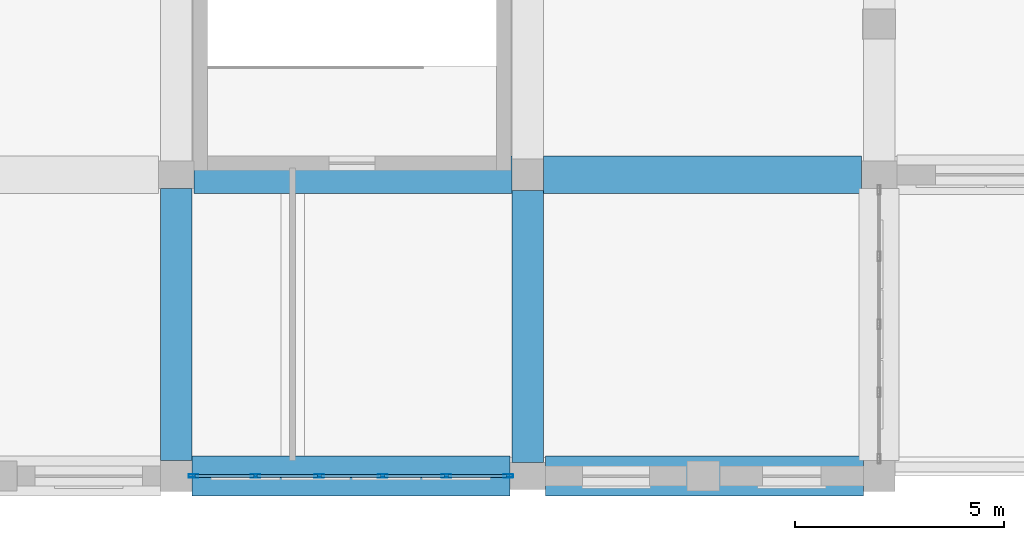
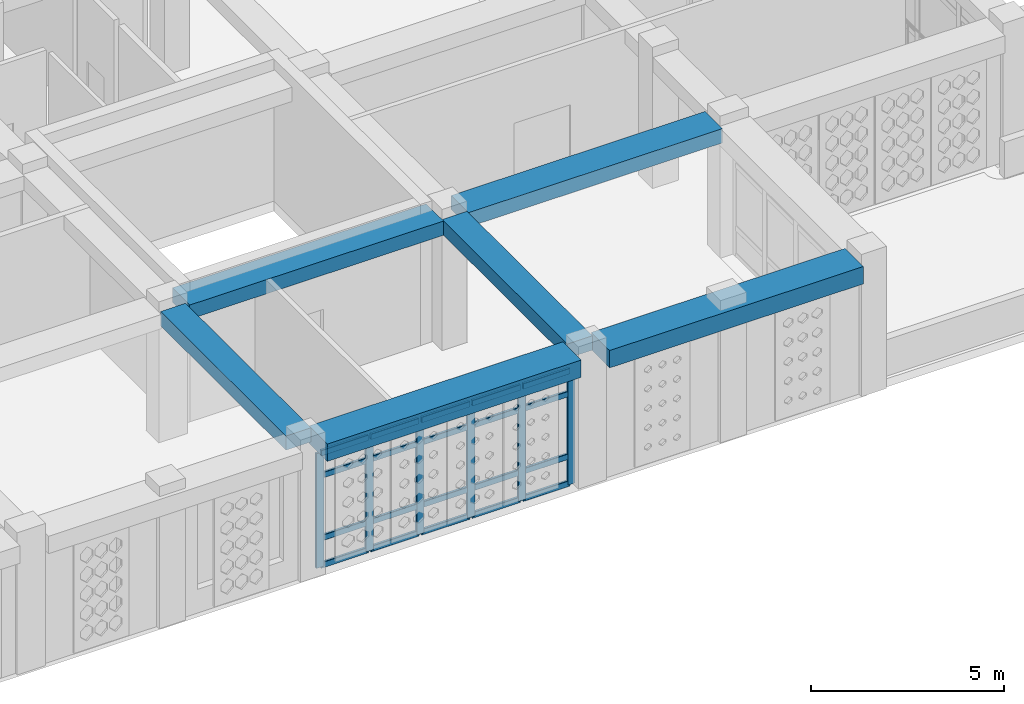
# One storey, part 7 of 111: 26 members, 6 beams, 1 element without a shape of its own.
"""IFC4 building model written with IfcOpenShell, lengths in metres."""

from ifc_helpers import new_model, si_unit, derived_unit, direction, frame, origin, origin_2d, place, context, subcontext, project, spatial, rectangle, hollow_rectangle, extrude, material, material_profile, profile_set, type_object, element, aggregate, save


model = new_model("IFC4")

# Units and contexts
model_context = context("Model", 3, precision=1e-05, world=origin(), true_north=direction((0.0, 1.0)))
body_context = subcontext(model_context, "Body", "Model", "MODEL_VIEW")
ifc_project = project(units=[si_unit("LENGTHUNIT", "METRE"), si_unit("AREAUNIT", "SQUARE_METRE"), si_unit("VOLUMEUNIT", "CUBIC_METRE"), si_unit("PLANEANGLEUNIT", "RADIAN"), si_unit("MASSUNIT", "GRAM", prefix="KILO"), derived_unit("THERMALTRANSMITTANCEUNIT", [(si_unit("POWERUNIT", "WATT"), 1), (si_unit("LENGTHUNIT", "METRE"), -2), (si_unit("THERMODYNAMICTEMPERATUREUNIT", "KELVIN"), -1)])], contexts=[model_context])

# Site, building, storey
site_placement = place(None, origin())
site = spatial("IfcSite", under=ifc_project, at=site_placement, CompositionType="ELEMENT")
building_placement = place(site_placement, origin())
building = spatial("IfcBuilding", under=site, at=building_placement, Name="Veybourne Emporium", CompositionType="ELEMENT")
storey_placement = place(building_placement, frame((0.0, 0.0, 9.89990234375)))
storey = spatial("IfcBuildingStorey", under=building, at=storey_placement, Name="L02", CompositionType="ELEMENT", Elevation=9.89990234375)

# Curtain wall, members
ifc_material_1 = material(Name="Patinated Architectural Bronze", Category="bronze")
curtain_wall_type = type_object("IfcCurtainWallType", Name="CWSystem_CWS-11", PredefinedType="NOTDEFINED", material=ifc_material_1)
curtain_wall_placement = place(storey_placement, origin())
curtain_wall = element("IfcCurtainWall", 1, at=curtain_wall_placement, inside=storey, type_object=curtain_wall_type, Name="L02 bronze glazed curtain wall CWS-11 (021)", PredefinedType="NOTDEFINED")
ifc_material_profile_1 = material_profile(ifc_material_1, hollow_rectangle(XDim=0.077880859375, YDim=0.235107421875, WallThickness=0.0048828125, InnerFilletRadius=0.007568359375, OuterFilletRadius=0.012451171875, at=origin_2d()), Name="CWM 78x235x5")
ifc_profile_set_1 = profile_set([ifc_material_profile_1], Name="Patinated Architectural Bronze")
member_type_1 = type_object("IfcMemberType", Name="CWMullion_CW-M3", PredefinedType="MULLION", material=ifc_profile_set_1)
member_1_placement = place(storey_placement, frame((41.535888671875, 0.0, 0.0), z_axis=(0.0, 0.0, 1.0), x_axis=(0.0, -1.0, 0.0)))
member_1 = element("IfcMember", 2, at=member_1_placement, type_object=member_type_1, Name="CWS-11 mullion 1", PredefinedType="MULLION", context=body_context, shape_type="SweptSolid", body=[
    extrude(hollow_rectangle(XDim=0.077880859375, YDim=0.235107421875, WallThickness=0.0048828125, InnerFilletRadius=0.007568359375, OuterFilletRadius=0.012451171875, at=origin_2d()), origin(), (0.0, 0.0, 1.0), 3.630126953125),
])
member_2_placement = place(storey_placement, frame((40.054931640625, 0.0, 0.0), z_axis=(0.0, 0.0, 1.0), x_axis=(0.0, -1.0, 0.0)))
member_2 = element("IfcMember", 3, at=member_2_placement, type_object=member_type_1, Name="CWS-11 mullion 2", PredefinedType="MULLION", context=body_context, shape_type="SweptSolid", body=[
    extrude(hollow_rectangle(XDim=0.077880859375, YDim=0.235107421875, WallThickness=0.0048828125, InnerFilletRadius=0.007568359375, OuterFilletRadius=0.012451171875, at=origin_2d()), origin(), (0.0, 0.0, 1.0), 3.630126953125),
])
member_3_placement = place(storey_placement, frame((38.534912109375, 0.0, 0.0), z_axis=(0.0, 0.0, 1.0), x_axis=(0.0, -1.0, 0.0)))
member_3 = element("IfcMember", 4, at=member_3_placement, type_object=member_type_1, Name="CWS-11 mullion 3", PredefinedType="MULLION", context=body_context, shape_type="SweptSolid", body=[
    extrude(hollow_rectangle(XDim=0.077880859375, YDim=0.235107421875, WallThickness=0.0048828125, InnerFilletRadius=0.007568359375, OuterFilletRadius=0.012451171875, at=origin_2d()), origin(), (0.0, 0.0, 1.0), 3.630126953125),
])
member_4_placement = place(storey_placement, frame((37.014892578125, 0.0, 0.0), z_axis=(0.0, 0.0, 1.0), x_axis=(0.0, -1.0, 0.0)))
member_4 = element("IfcMember", 5, at=member_4_placement, type_object=member_type_1, Name="CWS-11 mullion 4", PredefinedType="MULLION", context=body_context, shape_type="SweptSolid", body=[
    extrude(hollow_rectangle(XDim=0.077880859375, YDim=0.235107421875, WallThickness=0.0048828125, InnerFilletRadius=0.007568359375, OuterFilletRadius=0.012451171875, at=origin_2d()), origin(), (0.0, 0.0, 1.0), 3.630126953125),
])
member_5_placement = place(storey_placement, frame((35.4951171875, 0.0, 0.0), z_axis=(0.0, 0.0, 1.0), x_axis=(0.0, -1.0, 0.0)))
member_5 = element("IfcMember", 6, at=member_5_placement, type_object=member_type_1, Name="CWS-11 mullion 5", PredefinedType="MULLION", context=body_context, shape_type="SweptSolid", body=[
    extrude(hollow_rectangle(XDim=0.077880859375, YDim=0.235107421875, WallThickness=0.0048828125, InnerFilletRadius=0.007568359375, OuterFilletRadius=0.012451171875, at=origin_2d()), origin(), (0.0, 0.0, 1.0), 3.630126953125),
])
member_6_placement = place(storey_placement, frame((34.013916015625, 0.0, 0.0), z_axis=(0.0, 0.0, 1.0), x_axis=(0.0, -1.0, 0.0)))
member_6 = element("IfcMember", 7, at=member_6_placement, type_object=member_type_1, Name="CWS-11 mullion 6", PredefinedType="MULLION", context=body_context, shape_type="SweptSolid", body=[
    extrude(hollow_rectangle(XDim=0.077880859375, YDim=0.235107421875, WallThickness=0.0048828125, InnerFilletRadius=0.007568359375, OuterFilletRadius=0.012451171875, at=origin_2d()), origin(), (0.0, 0.0, 1.0), 3.630126953125),
])
ifc_material_profile_2 = material_profile(ifc_material_1, hollow_rectangle(XDim=0.077880859375, YDim=0.18505859375, WallThickness=0.0048828125, InnerFilletRadius=0.007568359375, OuterFilletRadius=0.012451171875, at=origin_2d()), Name="CWT 78x185x5")
ifc_profile_set_2 = profile_set([ifc_material_profile_2], Name="Patinated Architectural Bronze")
member_type_2 = type_object("IfcMemberType", Name="CWTransom_CW-T3", PredefinedType="NOTDEFINED", material=ifc_profile_set_2)
member_7_placement = place(storey_placement, frame((41.4970703125, 0.0, 0.0390625), z_axis=(-1.0, 0.0, 0.0), x_axis=(0.0, -1.0, 0.0)))
member_7 = element("IfcMember", 8, at=member_7_placement, type_object=member_type_2, Name="CWS-11 transom 1.1", ObjectType="TRANSOM", PredefinedType="USERDEFINED", context=body_context, shape_type="SweptSolid", body=[
    extrude(hollow_rectangle(XDim=0.077880859375, YDim=0.18505859375, WallThickness=0.0048828125, InnerFilletRadius=0.007568359375, OuterFilletRadius=0.012451171875, at=origin_2d()), origin(), (0.0, 0.0, 1.0), 1.403076171875),
])
member_8_placement = place(storey_placement, frame((41.4970703125, 0.0, 0.900146484375), z_axis=(-1.0, 0.0, 0.0), x_axis=(0.0, -1.0, 0.0)))
member_8 = element("IfcMember", 9, at=member_8_placement, type_object=member_type_2, Name="CWS-11 transom 1.2", ObjectType="TRANSOM", PredefinedType="USERDEFINED", context=body_context, shape_type="SweptSolid", body=[
    extrude(hollow_rectangle(XDim=0.077880859375, YDim=0.18505859375, WallThickness=0.0048828125, InnerFilletRadius=0.007568359375, OuterFilletRadius=0.012451171875, at=origin_2d()), origin(), (0.0, 0.0, 1.0), 1.403076171875),
])
member_9_placement = place(storey_placement, frame((41.4970703125, 0.0, 2.880126953125), z_axis=(-1.0, 0.0, 0.0), x_axis=(0.0, -1.0, 0.0)))
member_9 = element("IfcMember", 10, at=member_9_placement, type_object=member_type_2, Name="CWS-11 transom 1.3", ObjectType="TRANSOM", PredefinedType="USERDEFINED", context=body_context, shape_type="SweptSolid", body=[
    extrude(hollow_rectangle(XDim=0.077880859375, YDim=0.18505859375, WallThickness=0.0048828125, InnerFilletRadius=0.007568359375, OuterFilletRadius=0.012451171875, at=origin_2d()), origin(), (0.0, 0.0, 1.0), 1.403076171875),
])
member_10_placement = place(storey_placement, frame((41.4970703125, 0.0, 3.591064453125), z_axis=(-1.0, 0.0, 0.0), x_axis=(0.0, -1.0, 0.0)))
member_10 = element("IfcMember", 11, at=member_10_placement, type_object=member_type_2, Name="CWS-11 transom 1.4", ObjectType="TRANSOM", PredefinedType="USERDEFINED", context=body_context, shape_type="SweptSolid", body=[
    extrude(hollow_rectangle(XDim=0.077880859375, YDim=0.18505859375, WallThickness=0.0048828125, InnerFilletRadius=0.007568359375, OuterFilletRadius=0.012451171875, at=origin_2d()), origin(), (0.0, 0.0, 1.0), 1.403076171875),
])
member_11_placement = place(storey_placement, frame((40.01611328125, 0.0, 0.0390625), z_axis=(-1.0, 0.0, 0.0), x_axis=(0.0, -1.0, 0.0)))
member_11 = element("IfcMember", 12, at=member_11_placement, type_object=member_type_2, Name="CWS-11 transom 2.1", ObjectType="TRANSOM", PredefinedType="USERDEFINED", context=body_context, shape_type="SweptSolid", body=[
    extrude(hollow_rectangle(XDim=0.077880859375, YDim=0.18505859375, WallThickness=0.0048828125, InnerFilletRadius=0.007568359375, OuterFilletRadius=0.012451171875, at=origin_2d()), origin(), (0.0, 0.0, 1.0), 1.442138671875),
])
member_12_placement = place(storey_placement, frame((40.01611328125, 0.0, 0.900146484375), z_axis=(-1.0, 0.0, 0.0), x_axis=(0.0, -1.0, 0.0)))
member_12 = element("IfcMember", 13, at=member_12_placement, type_object=member_type_2, Name="CWS-11 transom 2.2", ObjectType="TRANSOM", PredefinedType="USERDEFINED", context=body_context, shape_type="SweptSolid", body=[
    extrude(hollow_rectangle(XDim=0.077880859375, YDim=0.18505859375, WallThickness=0.0048828125, InnerFilletRadius=0.007568359375, OuterFilletRadius=0.012451171875, at=origin_2d()), origin(), (0.0, 0.0, 1.0), 1.442138671875),
])
member_13_placement = place(storey_placement, frame((40.01611328125, 0.0, 2.880126953125), z_axis=(-1.0, 0.0, 0.0), x_axis=(0.0, -1.0, 0.0)))
member_13 = element("IfcMember", 14, at=member_13_placement, type_object=member_type_2, Name="CWS-11 transom 2.3", ObjectType="TRANSOM", PredefinedType="USERDEFINED", context=body_context, shape_type="SweptSolid", body=[
    extrude(hollow_rectangle(XDim=0.077880859375, YDim=0.18505859375, WallThickness=0.0048828125, InnerFilletRadius=0.007568359375, OuterFilletRadius=0.012451171875, at=origin_2d()), origin(), (0.0, 0.0, 1.0), 1.442138671875),
])
member_14_placement = place(storey_placement, frame((40.01611328125, 0.0, 3.591064453125), z_axis=(-1.0, 0.0, 0.0), x_axis=(0.0, -1.0, 0.0)))
member_14 = element("IfcMember", 15, at=member_14_placement, type_object=member_type_2, Name="CWS-11 transom 2.4", ObjectType="TRANSOM", PredefinedType="USERDEFINED", context=body_context, shape_type="SweptSolid", body=[
    extrude(hollow_rectangle(XDim=0.077880859375, YDim=0.18505859375, WallThickness=0.0048828125, InnerFilletRadius=0.007568359375, OuterFilletRadius=0.012451171875, at=origin_2d()), origin(), (0.0, 0.0, 1.0), 1.442138671875),
])
member_15_placement = place(storey_placement, frame((38.49609375, 0.0, 0.0390625), z_axis=(-1.0, 0.0, 0.0), x_axis=(0.0, -1.0, 0.0)))
member_15 = element("IfcMember", 16, at=member_15_placement, type_object=member_type_2, Name="CWS-11 transom 3.1", ObjectType="TRANSOM", PredefinedType="USERDEFINED", context=body_context, shape_type="SweptSolid", body=[
    extrude(hollow_rectangle(XDim=0.077880859375, YDim=0.18505859375, WallThickness=0.0048828125, InnerFilletRadius=0.007568359375, OuterFilletRadius=0.012451171875, at=origin_2d()), origin(), (0.0, 0.0, 1.0), 1.442138671875),
])
member_16_placement = place(storey_placement, frame((38.49609375, 0.0, 0.900146484375), z_axis=(-1.0, 0.0, 0.0), x_axis=(0.0, -1.0, 0.0)))
member_16 = element("IfcMember", 17, at=member_16_placement, type_object=member_type_2, Name="CWS-11 transom 3.2", ObjectType="TRANSOM", PredefinedType="USERDEFINED", context=body_context, shape_type="SweptSolid", body=[
    extrude(hollow_rectangle(XDim=0.077880859375, YDim=0.18505859375, WallThickness=0.0048828125, InnerFilletRadius=0.007568359375, OuterFilletRadius=0.012451171875, at=origin_2d()), origin(), (0.0, 0.0, 1.0), 1.442138671875),
])
member_17_placement = place(storey_placement, frame((38.49609375, 0.0, 2.880126953125), z_axis=(-1.0, 0.0, 0.0), x_axis=(0.0, -1.0, 0.0)))
member_17 = element("IfcMember", 18, at=member_17_placement, type_object=member_type_2, Name="CWS-11 transom 3.3", ObjectType="TRANSOM", PredefinedType="USERDEFINED", context=body_context, shape_type="SweptSolid", body=[
    extrude(hollow_rectangle(XDim=0.077880859375, YDim=0.18505859375, WallThickness=0.0048828125, InnerFilletRadius=0.007568359375, OuterFilletRadius=0.012451171875, at=origin_2d()), origin(), (0.0, 0.0, 1.0), 1.442138671875),
])
member_18_placement = place(storey_placement, frame((38.49609375, 0.0, 3.591064453125), z_axis=(-1.0, 0.0, 0.0), x_axis=(0.0, -1.0, 0.0)))
member_18 = element("IfcMember", 19, at=member_18_placement, type_object=member_type_2, Name="CWS-11 transom 3.4", ObjectType="TRANSOM", PredefinedType="USERDEFINED", context=body_context, shape_type="SweptSolid", body=[
    extrude(hollow_rectangle(XDim=0.077880859375, YDim=0.18505859375, WallThickness=0.0048828125, InnerFilletRadius=0.007568359375, OuterFilletRadius=0.012451171875, at=origin_2d()), origin(), (0.0, 0.0, 1.0), 1.442138671875),
])
member_19_placement = place(storey_placement, frame((36.97607421875, 0.0, 0.0390625), z_axis=(-1.0, 0.0, 0.0), x_axis=(0.0, -1.0, 0.0)))
member_19 = element("IfcMember", 20, at=member_19_placement, type_object=member_type_2, Name="CWS-11 transom 4.1", ObjectType="TRANSOM", PredefinedType="USERDEFINED", context=body_context, shape_type="SweptSolid", body=[
    extrude(hollow_rectangle(XDim=0.077880859375, YDim=0.18505859375, WallThickness=0.0048828125, InnerFilletRadius=0.007568359375, OuterFilletRadius=0.012451171875, at=origin_2d()), origin(), (0.0, 0.0, 1.0), 1.442138671875),
])
member_20_placement = place(storey_placement, frame((36.97607421875, 0.0, 0.900146484375), z_axis=(-1.0, 0.0, 0.0), x_axis=(0.0, -1.0, 0.0)))
member_20 = element("IfcMember", 21, at=member_20_placement, type_object=member_type_2, Name="CWS-11 transom 4.2", ObjectType="TRANSOM", PredefinedType="USERDEFINED", context=body_context, shape_type="SweptSolid", body=[
    extrude(hollow_rectangle(XDim=0.077880859375, YDim=0.18505859375, WallThickness=0.0048828125, InnerFilletRadius=0.007568359375, OuterFilletRadius=0.012451171875, at=origin_2d()), origin(), (0.0, 0.0, 1.0), 1.442138671875),
])
member_21_placement = place(storey_placement, frame((36.97607421875, 0.0, 2.880126953125), z_axis=(-1.0, 0.0, 0.0), x_axis=(0.0, -1.0, 0.0)))
member_21 = element("IfcMember", 22, at=member_21_placement, type_object=member_type_2, Name="CWS-11 transom 4.3", ObjectType="TRANSOM", PredefinedType="USERDEFINED", context=body_context, shape_type="SweptSolid", body=[
    extrude(hollow_rectangle(XDim=0.077880859375, YDim=0.18505859375, WallThickness=0.0048828125, InnerFilletRadius=0.007568359375, OuterFilletRadius=0.012451171875, at=origin_2d()), origin(), (0.0, 0.0, 1.0), 1.442138671875),
])
member_22_placement = place(storey_placement, frame((36.97607421875, 0.0, 3.591064453125), z_axis=(-1.0, 0.0, 0.0), x_axis=(0.0, -1.0, 0.0)))
member_22 = element("IfcMember", 23, at=member_22_placement, type_object=member_type_2, Name="CWS-11 transom 4.4", ObjectType="TRANSOM", PredefinedType="USERDEFINED", context=body_context, shape_type="SweptSolid", body=[
    extrude(hollow_rectangle(XDim=0.077880859375, YDim=0.18505859375, WallThickness=0.0048828125, InnerFilletRadius=0.007568359375, OuterFilletRadius=0.012451171875, at=origin_2d()), origin(), (0.0, 0.0, 1.0), 1.442138671875),
])
member_23_placement = place(storey_placement, frame((35.4560546875, 0.0, 0.0390625), z_axis=(-1.0, 0.0, 0.0), x_axis=(0.0, -1.0, 0.0)))
member_23 = element("IfcMember", 24, at=member_23_placement, type_object=member_type_2, Name="CWS-11 transom 5.1", ObjectType="TRANSOM", PredefinedType="USERDEFINED", context=body_context, shape_type="SweptSolid", body=[
    extrude(hollow_rectangle(XDim=0.077880859375, YDim=0.18505859375, WallThickness=0.0048828125, InnerFilletRadius=0.007568359375, OuterFilletRadius=0.012451171875, at=origin_2d()), origin(), (0.0, 0.0, 1.0), 1.403076171875),
])
member_24_placement = place(storey_placement, frame((35.4560546875, 0.0, 0.900146484375), z_axis=(-1.0, 0.0, 0.0), x_axis=(0.0, -1.0, 0.0)))
member_24 = element("IfcMember", 25, at=member_24_placement, type_object=member_type_2, Name="CWS-11 transom 5.2", ObjectType="TRANSOM", PredefinedType="USERDEFINED", context=body_context, shape_type="SweptSolid", body=[
    extrude(hollow_rectangle(XDim=0.077880859375, YDim=0.18505859375, WallThickness=0.0048828125, InnerFilletRadius=0.007568359375, OuterFilletRadius=0.012451171875, at=origin_2d()), origin(), (0.0, 0.0, 1.0), 1.403076171875),
])
member_25_placement = place(storey_placement, frame((35.4560546875, 0.0, 2.880126953125), z_axis=(-1.0, 0.0, 0.0), x_axis=(0.0, -1.0, 0.0)))
member_25 = element("IfcMember", 26, at=member_25_placement, type_object=member_type_2, Name="CWS-11 transom 5.3", ObjectType="TRANSOM", PredefinedType="USERDEFINED", context=body_context, shape_type="SweptSolid", body=[
    extrude(hollow_rectangle(XDim=0.077880859375, YDim=0.18505859375, WallThickness=0.0048828125, InnerFilletRadius=0.007568359375, OuterFilletRadius=0.012451171875, at=origin_2d()), origin(), (0.0, 0.0, 1.0), 1.403076171875),
])
member_26_placement = place(storey_placement, frame((35.4560546875, 0.0, 3.591064453125), z_axis=(-1.0, 0.0, 0.0), x_axis=(0.0, -1.0, 0.0)))
member_26 = element("IfcMember", 27, at=member_26_placement, type_object=member_type_2, Name="CWS-11 transom 5.4", ObjectType="TRANSOM", PredefinedType="USERDEFINED", context=body_context, shape_type="SweptSolid", body=[
    extrude(hollow_rectangle(XDim=0.077880859375, YDim=0.18505859375, WallThickness=0.0048828125, InnerFilletRadius=0.007568359375, OuterFilletRadius=0.012451171875, at=origin_2d()), origin(), (0.0, 0.0, 1.0), 1.403076171875),
])
aggregate(curtain_wall, [member_1, member_2, member_3, member_4, member_5, member_6, member_7, member_8, member_9, member_10, member_11, member_12, member_13, member_14, member_15, member_16, member_17, member_18, member_19, member_20, member_21, member_22, member_23, member_24, member_25, member_26])

# Beams
ifc_material_2 = material(Name="Concrete C32/40", Category="concrete")
ifc_material_profile_3 = material_profile(ifc_material_2, rectangle(XDim=0.89990234375, YDim=0.449951171875, at=origin_2d()), Name="RC 900x450")
ifc_profile_set_3 = profile_set([ifc_material_profile_3], Name="Concrete C32/40")
beam_type_1 = type_object("IfcBeamType", Name="RCBeam_BB-03", PredefinedType="BEAM", material=ifc_profile_set_3)
for number, where, z_axis, x_axis, name in (
    (28, (34.02490234375, 7.199951171875, 3.955078125), (1.0, 0.0, 0.0), (0.0, 1.0, 0.0), "L02 X-grid beam BB-03 (4,1)"),
    (29, (42.375, 7.199951171875, 3.955078125), (1.0, 0.0, 0.0), (0.0, 1.0, 0.0), "L02 X-grid beam BB-03 (5,1)"),
):
    element("IfcBeam", number, at=place(storey_placement, frame(where, z_axis=z_axis, x_axis=x_axis)), inside=storey, type_object=beam_type_1, Name=name, PredefinedType="BEAM", context=body_context, shape_type="SweptSolid", body=[
        extrude(rectangle(XDim=0.89990234375, YDim=0.449951171875, at=origin_2d()), origin(), (0.0, 0.0, 1.0), 7.60009765625),
    ])
ifc_material_profile_4 = material_profile(ifc_material_2, rectangle(XDim=0.75, YDim=0.449951171875, at=origin_2d()), Name="RC 750x450")
ifc_profile_set_4 = profile_set([ifc_material_profile_4], Name="Concrete C32/40")
beam_type_2 = type_object("IfcBeamType", Name="RCBeam_BB-04", PredefinedType="BEAM", material=ifc_profile_set_4)
for number, where, z_axis, x_axis, name in (
    (30, (33.60009765625, 0.375, 3.955078125), (0.0, 1.0, 0.0), (-1.0, 0.0, 0.0), "L02 Y-grid beam BB-04 (4,0)"),
    (31, (42.0, 0.324951171875, 3.955078125), (0.0, 1.0, 0.0), (-1.0, 0.0, 0.0), "L02 Y-grid beam BB-04 (5,0)"),
):
    element("IfcBeam", number, at=place(storey_placement, frame(where, z_axis=z_axis, x_axis=x_axis)), inside=storey, type_object=beam_type_2, Name=name, PredefinedType="BEAM", context=body_context, shape_type="SweptSolid", body=[
        extrude(rectangle(XDim=0.75, YDim=0.449951171875, at=origin_2d()), origin(), (0.0, 0.0, 1.0), 6.5),
    ])
ifc_material_profile_5 = material_profile(ifc_material_2, rectangle(XDim=0.949951171875, YDim=0.550048828125, at=origin_2d()), Name="RC 950x550")
ifc_profile_set_5 = profile_set([ifc_material_profile_5], Name="Concrete C32/40")
beam_type_3 = type_object("IfcBeamType", Name="RCBeam_EB-01", PredefinedType="SPANDREL", material=ifc_profile_set_5)
for number, where, z_axis, x_axis, name in (
    (32, (33.97509765625, 0.0, 3.905029296875), (1.0, 0.0, 0.0), (0.0, 1.0, 0.0), "L02 X-grid beam EB-01 (4,0)"),
    (33, (42.425048828125, 0.0, 3.905029296875), (1.0, 0.0, 0.0), (0.0, 1.0, 0.0), "L02 X-grid beam EB-01 (5,0)"),
):
    element("IfcBeam", number, at=place(storey_placement, frame(where, z_axis=z_axis, x_axis=x_axis)), inside=storey, type_object=beam_type_3, Name=name, PredefinedType="SPANDREL", context=body_context, shape_type="SweptSolid", body=[
        extrude(rectangle(XDim=0.949951171875, YDim=0.550048828125, at=origin_2d()), origin(), (0.0, 0.0, 1.0), 7.599853515625),
    ])

save(model, "model.ifc")
